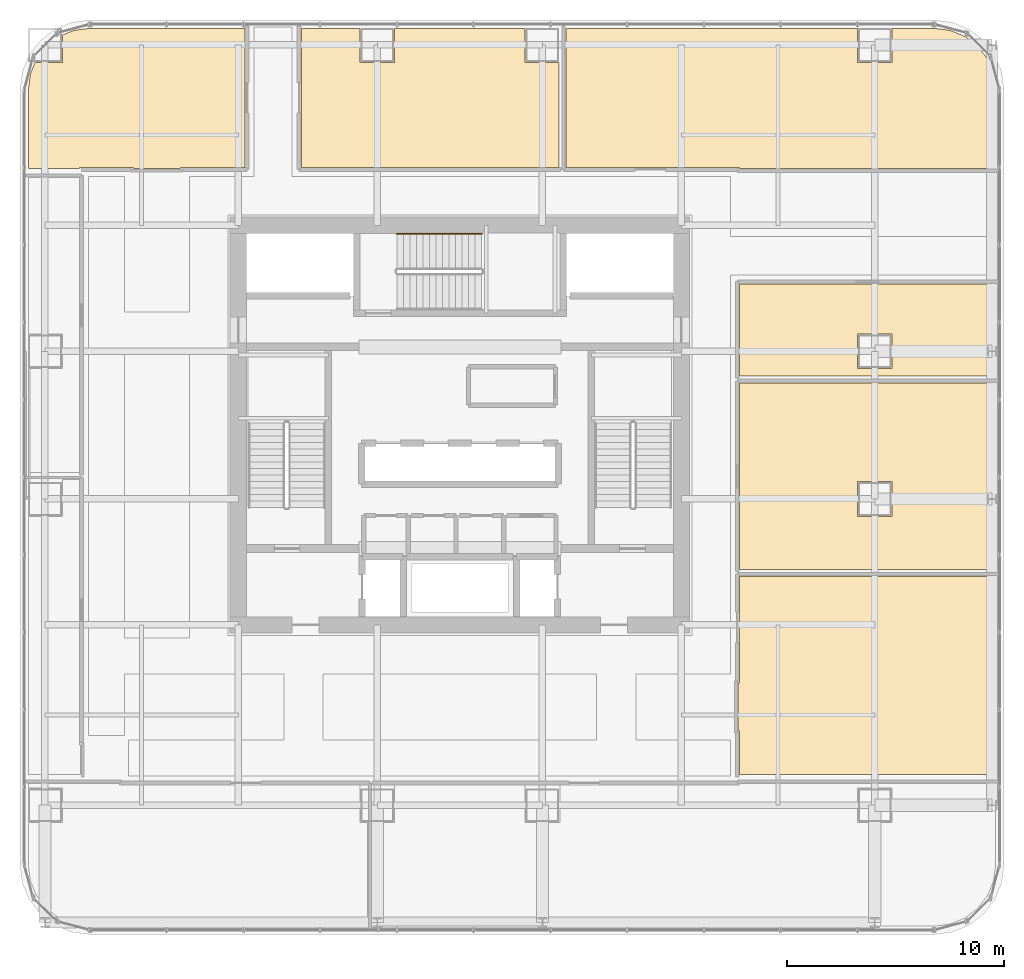
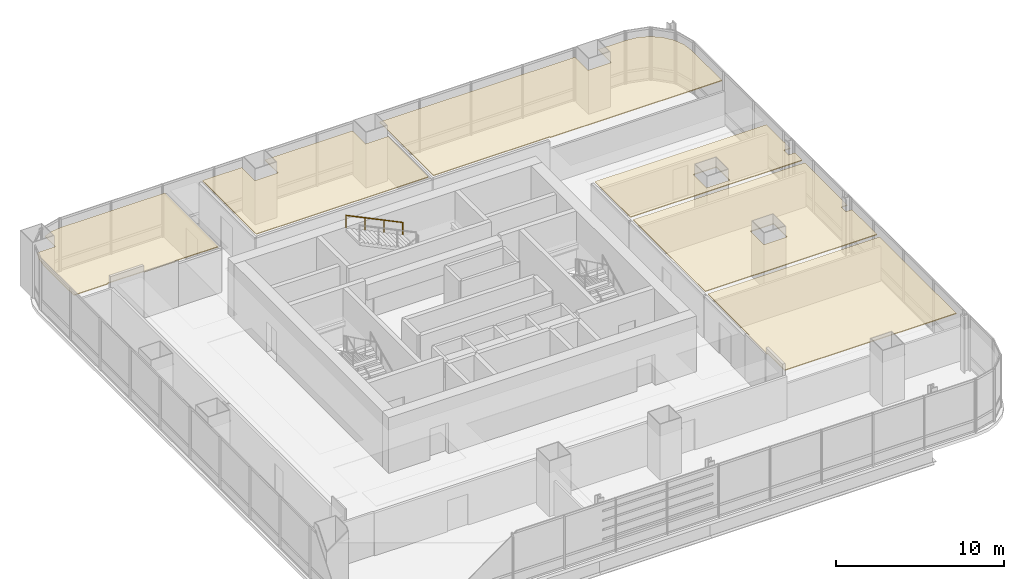
# One storey, part 35 of 35: 6 coverings, 1 railing.
"""IFC4 building model written with IfcOpenShell, lengths in metres."""

from ifc_helpers import new_model, si_unit, direction, frame, origin, origin_2d, place, context, subcontext, project, spatial, polyline, circle, outline, extrude, material, layer, layer_set, type_object, element, save


model = new_model("IFC4")

# Units and contexts
model_context = context("Model", 3, precision=1e-05, world=origin(), true_north=direction((0.0, 1.0)))
body_context = subcontext(model_context, "Body", "Model", "MODEL_VIEW")
ifc_project = project(units=[si_unit("LENGTHUNIT", "METRE"), si_unit("AREAUNIT", "SQUARE_METRE"), si_unit("VOLUMEUNIT", "CUBIC_METRE"), si_unit("PLANEANGLEUNIT", "RADIAN"), si_unit("MASSUNIT", "GRAM", prefix="KILO")], contexts=[model_context])

# Site, building, storey
site_placement = place(None, origin())
site = spatial("IfcSite", under=ifc_project, at=site_placement, CompositionType="ELEMENT")
building_placement = place(site_placement, origin())
building = spatial("IfcBuilding", under=site, at=building_placement, Name="Punatoya Terracotta Tower", CompositionType="ELEMENT")
storey_placement = place(building_placement, frame((0.0, 0.0, 68.699951171875)))
storey = spatial("IfcBuildingStorey", under=building, at=storey_placement, Name="L15", CompositionType="ELEMENT", Elevation=68.699951171875)

# Coverings
ifc_material_1 = material(Name="Acoustic Mineral Fibre Ceiling")
ifc_layer = layer(ifc_material_1, 0.06005859375)
ifc_layer_set = layer_set([ifc_layer], Name="Acoustic Mineral Fibre Ceiling")
covering_type = type_object("IfcCoveringType", Name="COV-CEIL-60", PredefinedType="CEILING", material=ifc_layer_set)
covering_1_placement = place(storey_placement, frame((0.0, 0.0, 3.199951171875)))
element("IfcCovering", 1, at=covering_1_placement, inside=storey, type_object=covering_type, Name="L15 Collaborative Workshop Room Acoustic Ceiling", PredefinedType="CEILING", context=body_context, shape_type="SweptSolid", body=[
    extrude(outline(polyline([(12.81005859375, -14.080078125), (12.8701171875, -14.080078125), (12.8701171875, -16.090087890625), (24.669921875, -16.090087890625), (24.669921875, -6.9580078125), (12.8701171875, -6.9580078125), (12.8701171875, -11.8701171875), (12.81005859375, -11.8701171875), (12.81005859375, -14.080078125)])), origin(), (0.0, 0.0, 1.0), 0.06005859375),
])
covering_2_placement = place(storey_placement, frame((0.0, 0.0, 3.199951171875)))
element("IfcCovering", 2, at=covering_2_placement, inside=storey, type_object=covering_type, Name="L15 Open-Plan Breakout Tea Pantry Acoustic Ceiling", PredefinedType="CEILING", context=body_context, shape_type="SweptSolid", body=[
    extrude(outline(polyline([(24.241943359375, -3.673095703125), (24.241943359375, -3.126953125), (24.669921875, -3.126953125), (24.669921875, 1.93798828125), (12.8701171875, 1.93798828125), (12.8701171875, -6.637939453125), (24.669921875, -6.637939453125), (24.669921875, -3.673095703125), (24.241943359375, -3.673095703125)]), holes=[polyline([(18.300048828125, -4.199951171875), (18.300048828125, -2.60009765625), (19.89990234375, -2.60009765625), (19.89990234375, -4.199951171875), (18.300048828125, -4.199951171875)])]), origin(), (0.0, 0.0, 1.0), 0.06005859375),
])
covering_3_placement = place(storey_placement, frame((0.0, 0.0, 3.199951171875)))
element("IfcCovering", 3, at=covering_3_placement, inside=storey, type_object=covering_type, Name="L15 Open-Plan Delegate Reception Lounge Acoustic Ceiling", PredefinedType="CEILING", context=body_context, shape_type="SweptSolid", body=[
    extrude(outline(polyline([(12.8701171875, 6.5), (12.8701171875, 2.258056640625), (24.669921875, 2.258056640625), (24.669921875, 3.126953125), (24.241943359375, 3.126953125), (24.241943359375, 3.673095703125), (24.669921875, 3.673095703125), (24.669921875, 6.5), (12.8701171875, 6.5)]), holes=[polyline([(18.300048828125, 4.199951171875), (19.89990234375, 4.199951171875), (19.89990234375, 2.60009765625), (18.300048828125, 2.60009765625), (18.300048828125, 4.199951171875)])]), origin(), (0.0, 0.0, 1.0), 0.06005859375),
])
covering_4_placement = place(storey_placement, frame((0.0, 0.0, 3.199951171875)))
element("IfcCovering", 4, at=covering_4_placement, inside=storey, type_object=covering_type, Name="L15 Open-Plan Case-Study Classroom Acoustic Ceiling", PredefinedType="CEILING", context=body_context, shape_type="SweptSolid", body=[
    extrude(outline(polyline([(-17.779052734375, 18.1708984375), (-18.300048828125, 17.955078125), (-18.300048828125, 16.699951171875), (-19.554931640625, 16.699951171875), (-19.770751953125, 16.178955078125), (-19.8701171875, 15.425048828125), (-19.8701171875, 11.81005859375), (-17.52001953125, 11.81005859375), (-17.52001953125, 11.8701171875), (-15.030029296875, 11.8701171875), (-15.030029296875, 11.81005859375), (-12.8701171875, 11.81005859375), (-12.8701171875, 11.8701171875), (-9.89990234375, 11.8701171875), (-9.89990234375, 18.27001953125), (-17.025146484375, 18.27001953125), (-17.779052734375, 18.1708984375)])), origin(), (0.0, 0.0, 1.0), 0.06005859375),
])
covering_5_placement = place(storey_placement, frame((0.0, 0.0, 3.199951171875)))
element("IfcCovering", 5, at=covering_5_placement, inside=storey, type_object=covering_type, Name="L15 Open-Plan Symposium Colloquium Room Acoustic Ceiling", PredefinedType="CEILING", context=body_context, shape_type="SweptSolid", body=[
    extrude(outline(polyline([(12.8701171875, 11.81005859375), (24.669921875, 11.81005859375), (24.669921875, 15.425048828125), (24.57080078125, 16.178955078125), (24.289306640625, 16.8583984375), (23.841796875, 17.441650390625), (23.25830078125, 17.889404296875), (22.5791015625, 18.1708984375), (21.8251953125, 18.27001953125), (19.89990234375, 18.27001953125), (19.89990234375, 16.699951171875), (18.300048828125, 16.699951171875), (18.300048828125, 18.27001953125), (4.875, 18.27001953125), (4.875, 11.8701171875), (12.8701171875, 11.8701171875), (12.8701171875, 11.81005859375)])), origin(), (0.0, 0.0, 1.0), 0.06005859375),
])
covering_6_placement = place(storey_placement, frame((0.0, 0.0, 3.199951171875)))
element("IfcCovering", 6, at=covering_6_placement, inside=storey, type_object=covering_type, Name="L15 Open-Plan Roundtable Conference Room Acoustic Ceiling", PredefinedType="CEILING", context=body_context, shape_type="SweptSolid", body=[
    extrude(outline(polyline([(-4.60009765625, 18.27001953125), (-7.300048828125, 18.27001953125), (-7.300048828125, 11.8701171875), (4.554931640625, 11.8701171875), (4.554931640625, 16.699951171875), (3.0, 16.699951171875), (3.0, 18.27001953125), (-3.0, 18.27001953125), (-3.0, 16.699951171875), (-4.60009765625, 16.699951171875), (-4.60009765625, 18.27001953125)])), origin(), (0.0, 0.0, 1.0), 0.06005859375),
])

# Railing
ifc_material_2 = material(Name="Steel S355", Category="steel")
railing_type = type_object("IfcRailingType", Name="RLG-HND-900", PredefinedType="HANDRAIL", material=ifc_material_2)
railing_placement = place(storey_placement, frame((1.0, 8.800048828125, 2.169677734375)))
element("IfcRailing", 7, at=railing_placement, inside=storey, type_object=railing_type, Name="L15 ST-3 stair handrail 2", PredefinedType="HANDRAIL", context=body_context, shape_type="SweptSolid", body=[
    extrude(circle(Radius=0.02392578125, at=origin_2d()), frame((0.0, 0.0, 0.8759765625), z_axis=(-0.900763166376, 0.0, 0.434310623978), x_axis=(0.0, -1.0, 0.0)), (0.0, 0.0, 1.0), 4.32958984375),
    extrude(circle(Radius=0.02099609375, at=origin_2d()), origin(), (0.0, 0.0, 1.0), 0.851806640625),
    extrude(circle(Radius=0.02099609375, at=origin_2d()), frame((-1.300048828125, 0.0, 0.626708984375)), (0.0, 0.0, 1.0), 0.851806640625),
    extrude(circle(Radius=0.02099609375, at=origin_2d()), frame((-2.599853515625, 0.0, 1.253662109375)), (0.0, 0.0, 1.0), 0.851806640625),
    extrude(circle(Radius=0.02099609375, at=origin_2d()), frame((-3.89990234375, 0.0, 1.88037109375)), (0.0, 0.0, 1.0), 0.851806640625),
])

save(model, "model.ifc")
